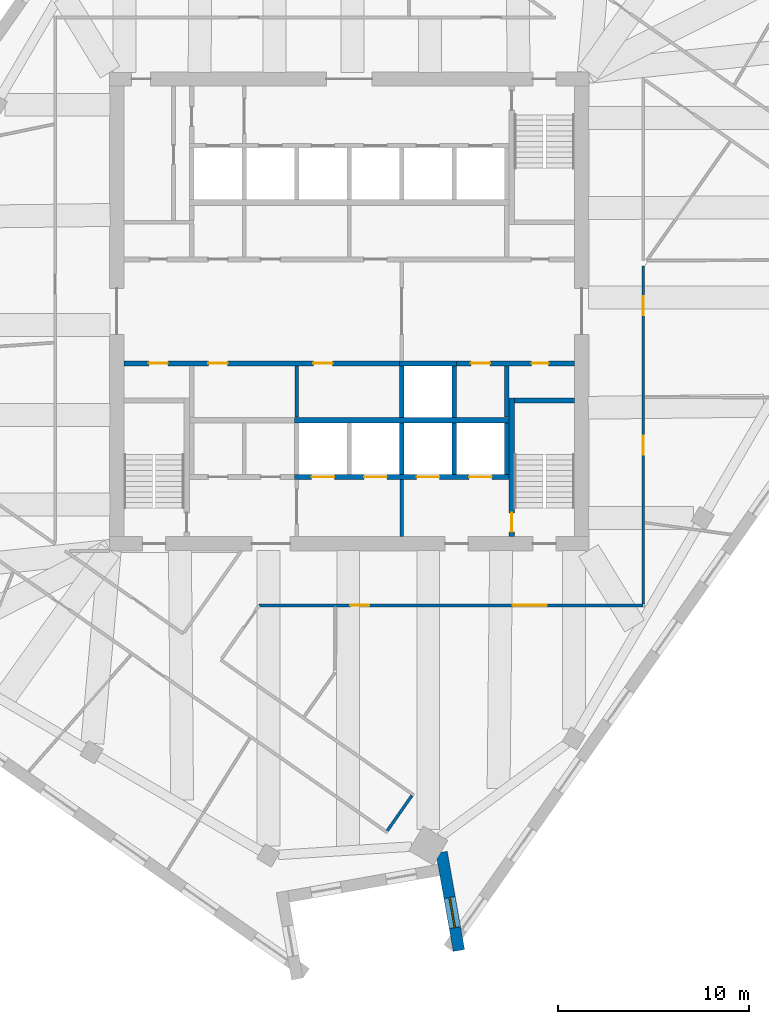
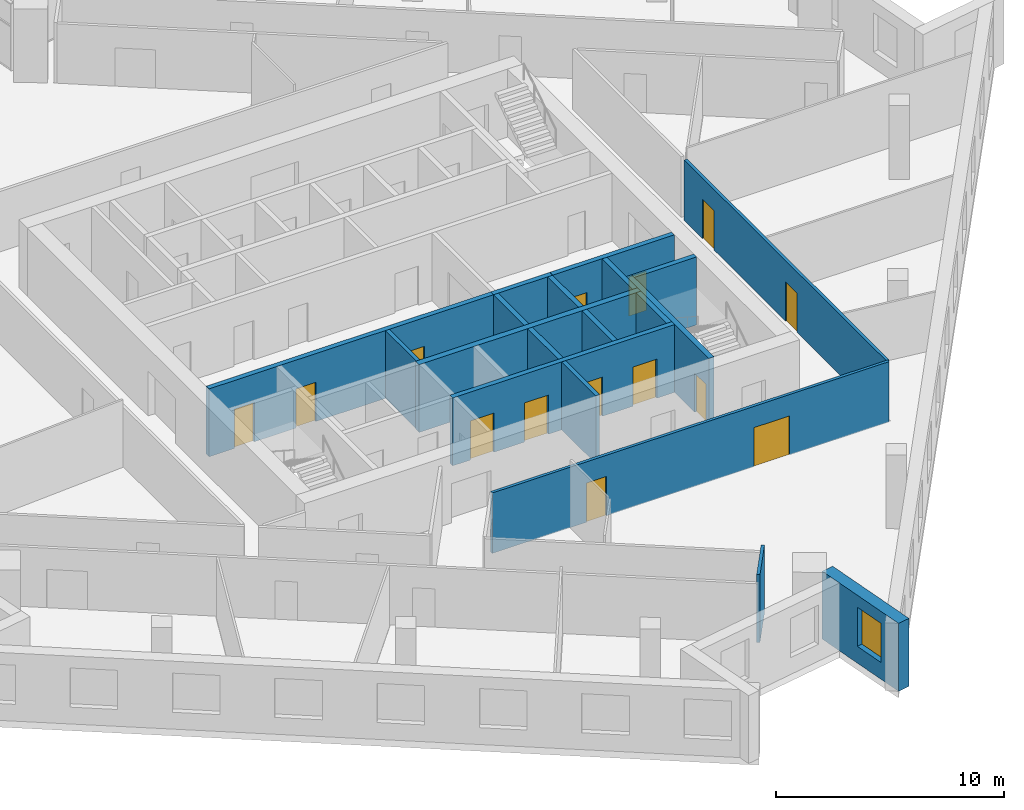
# One storey, part 7 of 13: 19 walls, 14 doors, 1 window, 15 openings.
"""IFC4 building model written with IfcOpenShell, lengths in metres."""

from ifc_helpers import new_model, si_unit, direction, frame, frame_2d, origin, place, context, subcontext, project, spatial, rectangle, extrude, material, layer, layer_set, type_object, element, fill, save


model = new_model("IFC4")

# Units and contexts
model_context = context("Model", 3, precision=1e-05, world=origin(), true_north=direction((0.0, 1.0)))
body_context = subcontext(model_context, "Body", "Model", "MODEL_VIEW")
ifc_project = project(units=[si_unit("LENGTHUNIT", "METRE"), si_unit("AREAUNIT", "SQUARE_METRE"), si_unit("VOLUMEUNIT", "CUBIC_METRE"), si_unit("PLANEANGLEUNIT", "RADIAN"), si_unit("MASSUNIT", "GRAM", prefix="KILO")], contexts=[model_context])

# Site, building, storey
site_placement = place(None, origin())
site = spatial("IfcSite", under=ifc_project, at=site_placement, CompositionType="ELEMENT")
building_placement = place(site_placement, origin())
building = spatial("IfcBuilding", under=site, at=building_placement, Name="Dilmun Exchange Tower", CompositionType="ELEMENT")
storey_placement = place(building_placement, frame((0.0, 0.0, 246.89990234375)))
storey = spatial("IfcBuildingStorey", under=building, at=storey_placement, Name="L58", CompositionType="ELEMENT", Elevation=246.89990234375)

# Walls
ifc_material_1 = material(Name="Concrete C40/50", Category="concrete")
ifc_layer_1 = layer(ifc_material_1, 0.199951171875)
ifc_layer_set_1 = layer_set([ifc_layer_1], Name="Concrete C40/50")
wall_type_1 = type_object("IfcWallType", Name="Core partition wall 200", PredefinedType="PARTITIONING", material=ifc_layer_set_1)
wall_1_placement = place(storey_placement, frame((2.75, -11.794921875, 0.0), z_axis=(0.0, 0.0, 1.0), x_axis=(0.0, 1.0, 0.0)))
element("IfcWall", 1, at=wall_1_placement, inside=storey, type_object=wall_type_1, Name="L58 core partition wall 02", PredefinedType="PARTITIONING", context=body_context, shape_type="SweptSolid", body=[
    extrude(rectangle(XDim=2.989990234375, YDim=0.199951171875, at=frame_2d((1.4951171875, 0.0))), origin(), (0.0, 0.0, 1.0), 3.64013671875),
])
wall_2_placement = place(storey_placement, frame((-2.75, -5.544921875, 0.0), z_axis=(0.0, 0.0, 1.0), x_axis=(0.0, 1.0, 0.0)))
element("IfcWall", 2, at=wall_2_placement, inside=storey, type_object=wall_type_1, Name="L58 core partition wall 08", PredefinedType="PARTITIONING", context=body_context, shape_type="SweptSolid", body=[
    extrude(rectangle(XDim=2.68994140625, YDim=0.199951171875, at=frame_2d((1.344970703125, 0.0))), origin(), (0.0, 0.0, 1.0), 3.64013671875),
])
ifc_layer_2 = layer(ifc_material_1, 0.25)
ifc_layer_set_2 = layer_set([ifc_layer_2], Name="Concrete C40/50")
wall_type_2 = type_object("IfcWallType", Name="Core partition wall 250", PredefinedType="PARTITIONING", material=ifc_layer_set_2)
wall_3_placement = place(storey_placement, frame((8.25, -5.544921875, 0.0), z_axis=(0.0, 0.0, 1.0), x_axis=(0.0, 1.0, 0.0)))
element("IfcWall", 3, at=wall_3_placement, inside=storey, type_object=wall_type_2, Name="L58 core partition wall 09", PredefinedType="PARTITIONING", context=body_context, shape_type="SweptSolid", body=[
    extrude(rectangle(XDim=2.68994140625, YDim=0.25, at=frame_2d((1.344970703125, 0.0))), origin(), (0.0, 0.0, 1.0), 3.64013671875),
])

# Wall, openings, doors
wall_4_placement = place(storey_placement, frame((-11.794921875, -2.72509765625, 0.0), z_axis=(0.0, 0.0, 1.0), x_axis=(1.0, 0.0, 0.0)))
wall_4 = element("IfcWall", 4, at=wall_4_placement, inside=storey, type_object=wall_type_2, Name="L58 core partition wall 10", PredefinedType="PARTITIONING", context=body_context, shape_type="SweptSolid", body=[
    extrude(rectangle(XDim=14.4150390625, YDim=0.25, at=frame_2d((7.20751953125, 0.0))), origin(), (0.0, 0.0, 1.0), 3.64013671875),
])
opening_1_placement = place(wall_4_placement, frame((1.294921875, 0.0, 0.0)))
opening_1 = element("IfcOpeningElement", 5, at=opening_1_placement, cuts=wall_4, Name="Opening CD4", PredefinedType="OPENING", context=body_context, shape_type="SweptSolid", body=[
    extrude(rectangle(XDim=1.0, YDim=2.10009765625, at=frame_2d((0.5, 1.050048828125))), frame((0.0, 0.135009765625, 0.0), z_axis=(0.0, -1.0, 0.0), x_axis=(1.0, 0.0, 0.0)), (0.0, 0.0, 1.0), 0.27001953125),
])
opening_2_placement = place(wall_4_placement, frame((4.419921875, 0.0, 0.0)))
opening_2 = element("IfcOpeningElement", 6, at=opening_2_placement, cuts=wall_4, Name="Opening CD4", PredefinedType="OPENING", context=body_context, shape_type="SweptSolid", body=[
    extrude(rectangle(XDim=1.0, YDim=2.10009765625, at=frame_2d((0.5, 1.050048828125))), frame((0.0, 0.135009765625, 0.0), z_axis=(0.0, -1.0, 0.0), x_axis=(1.0, 0.0, 0.0)), (0.0, 0.0, 1.0), 0.27001953125),
])
opening_3_placement = place(wall_4_placement, frame((9.919921875, 0.0, 0.0)))
opening_3 = element("IfcOpeningElement", 7, at=opening_3_placement, cuts=wall_4, Name="Opening CD4", PredefinedType="OPENING", context=body_context, shape_type="SweptSolid", body=[
    extrude(rectangle(XDim=1.0, YDim=2.10009765625, at=frame_2d((0.5, 1.050048828125))), frame((0.0, 0.135009765625, 0.0), z_axis=(0.0, -1.0, 0.0), x_axis=(1.0, 0.0, 0.0)), (0.0, 0.0, 1.0), 0.27001953125),
])
ifc_material_2 = material(Name="Fire-rated steel door set", Category="steel")
door_type_1 = type_object("IfcDoorType", Name="Core room door 1000x2100", OperationType="SINGLE_SWING_LEFT", PredefinedType="DOOR", material=ifc_material_2)
door_1_placement = place(opening_1_placement, origin())
door_1 = element("IfcDoor", 8, at=door_1_placement, inside=storey, type_object=door_type_1, Name="L58 door Accessible WC", OperationType="SINGLE_SWING_LEFT", OverallHeight=2.10009765625, OverallWidth=1.0, PredefinedType="DOOR", context=body_context, shape_type="SweptSolid", body=[
    extrude(rectangle(XDim=1.0, YDim=2.10009765625, at=frame_2d((0.5, 1.050048828125))), frame((0.0, 0.02490234375, 0.0), z_axis=(0.0, -1.0, 0.0), x_axis=(1.0, 0.0, 0.0)), (0.0, 0.0, 1.0), 0.050048828125),
])
fill(opening_1, door_1)
door_2_placement = place(opening_2_placement, origin())
door_2 = element("IfcDoor", 9, at=door_2_placement, inside=storey, type_object=door_type_1, Name="L58 door Tenant services room", OperationType="SINGLE_SWING_LEFT", OverallHeight=2.10009765625, OverallWidth=1.0, PredefinedType="DOOR", context=body_context, shape_type="SweptSolid", body=[
    extrude(rectangle(XDim=1.0, YDim=2.10009765625, at=frame_2d((0.5, 1.050048828125))), frame((0.0, 0.02490234375, 0.0), z_axis=(0.0, -1.0, 0.0), x_axis=(1.0, 0.0, 0.0)), (0.0, 0.0, 1.0), 0.050048828125),
])
fill(opening_2, door_2)
door_3_placement = place(opening_3_placement, origin())
door_3 = element("IfcDoor", 10, at=door_3_placement, inside=storey, type_object=door_type_1, Name="L58 door Archive store", OperationType="SINGLE_SWING_LEFT", OverallHeight=2.10009765625, OverallWidth=1.0, PredefinedType="DOOR", context=body_context, shape_type="SweptSolid", body=[
    extrude(rectangle(XDim=1.0, YDim=2.10009765625, at=frame_2d((0.5, 1.050048828125))), frame((0.0, 0.02490234375, 0.0), z_axis=(0.0, -1.0, 0.0), x_axis=(1.0, 0.0, 0.0)), (0.0, 0.0, 1.0), 0.050048828125),
])
fill(opening_3, door_3)

wall_5_placement = place(storey_placement, frame((5.6298828125, -2.72509765625, 0.0), z_axis=(0.0, 0.0, 1.0), x_axis=(1.0, 0.0, 0.0)))
wall_5 = element("IfcWall", 11, at=wall_5_placement, inside=storey, type_object=wall_type_2, Name="L58 core partition wall 11", PredefinedType="PARTITIONING", context=body_context, shape_type="SweptSolid", body=[
    extrude(rectangle(XDim=6.1650390625, YDim=0.25, at=frame_2d((3.08251953125, 0.0))), origin(), (0.0, 0.0, 1.0), 3.64013671875),
])
opening_4_placement = place(wall_5_placement, frame((0.7451171875, 0.0, 0.0)))
opening_4 = element("IfcOpeningElement", 12, at=opening_4_placement, cuts=wall_5, Name="Opening CD4", PredefinedType="OPENING", context=body_context, shape_type="SweptSolid", body=[
    extrude(rectangle(XDim=1.0, YDim=2.10009765625, at=frame_2d((0.5, 1.050048828125))), frame((0.0, 0.135009765625, 0.0), z_axis=(0.0, -1.0, 0.0), x_axis=(1.0, 0.0, 0.0)), (0.0, 0.0, 1.0), 0.27001953125),
])
opening_5_placement = place(wall_5_placement, frame((3.919921875, 0.0, 0.0)))
opening_5 = element("IfcOpeningElement", 13, at=opening_5_placement, cuts=wall_5, Name="Opening CD6", PredefinedType="OPENING", context=body_context, shape_type="SweptSolid", body=[
    extrude(rectangle(XDim=0.89990234375, YDim=2.10009765625, at=frame_2d((0.449951171875, 1.050048828125))), frame((0.0, 0.135009765625, 0.0), z_axis=(0.0, -1.0, 0.0), x_axis=(1.0, 0.0, 0.0)), (0.0, 0.0, 1.0), 0.27001953125),
])
door_4_placement = place(opening_4_placement, origin())
door_4 = element("IfcDoor", 14, at=door_4_placement, inside=storey, type_object=door_type_1, Name="L58 door Cleaners' store", OperationType="SINGLE_SWING_LEFT", OverallHeight=2.10009765625, OverallWidth=1.0, PredefinedType="DOOR", context=body_context, shape_type="SweptSolid", body=[
    extrude(rectangle(XDim=1.0, YDim=2.10009765625, at=frame_2d((0.5, 1.050048828125))), frame((0.0, 0.02490234375, 0.0), z_axis=(0.0, -1.0, 0.0), x_axis=(1.0, 0.0, 0.0)), (0.0, 0.0, 1.0), 0.050048828125),
])
fill(opening_4, door_4)
door_type_2 = type_object("IfcDoorType", Name="Core room door 900x2100", OperationType="SINGLE_SWING_LEFT", PredefinedType="DOOR", material=ifc_material_2)
door_5_placement = place(opening_5_placement, origin())
door_5 = element("IfcDoor", 15, at=door_5_placement, inside=storey, type_object=door_type_2, Name="L58 door Comms riser", OperationType="SINGLE_SWING_LEFT", OverallHeight=2.10009765625, OverallWidth=0.89990234375, PredefinedType="DOOR", context=body_context, shape_type="SweptSolid", body=[
    extrude(rectangle(XDim=0.89990234375, YDim=2.10009765625, at=frame_2d((0.449951171875, 1.050048828125))), frame((0.0, 0.02490234375, 0.0), z_axis=(0.0, -1.0, 0.0), x_axis=(1.0, 0.0, 0.0)), (0.0, 0.0, 1.0), 0.050048828125),
])
fill(opening_5, door_5)

ifc_material_3 = material(Name="Corridor wall 150")
ifc_layer_3 = layer(ifc_material_3, 0.14990234375)
ifc_layer_set_3 = layer_set([ifc_layer_3], Name="Corridor wall 150")
wall_type_3 = type_object("IfcWallType", Name="Corridor wall 150", PredefinedType="PARTITIONING", material=ifc_layer_set_3)
wall_6_placement = place(storey_placement, frame((-4.722900390625, -15.39990234375, 0.0), z_axis=(0.0, 0.0, 1.0), x_axis=(1.0, 0.0, 0.0)))
wall_6 = element("IfcWall", 16, at=wall_6_placement, inside=storey, type_object=wall_type_3, Name="Corridor wall", PredefinedType="PARTITIONING", context=body_context, shape_type="SweptSolid", body=[
    extrude(rectangle(XDim=20.122802734375, YDim=0.14990234375, at=frame_2d((10.0615234375, 0.0))), origin(), (0.0, 0.0, 1.0), 3.239990234375),
])
opening_6_placement = place(wall_6_placement, frame((13.28173828125, 0.0, 0.0)))
opening_6 = element("IfcOpeningElement", 17, at=opening_6_placement, cuts=wall_6, Name="Opening TF57-D10", PredefinedType="OPENING", context=body_context, shape_type="SweptSolid", body=[
    extrude(rectangle(XDim=1.800048828125, YDim=2.10009765625, at=frame_2d((0.89990234375, 1.050048828125))), frame((0.0, 0.0849609375, 0.0), z_axis=(0.0, -1.0, 0.0), x_axis=(1.0, 0.0, 0.0)), (0.0, 0.0, 1.0), 0.169921875),
])
opening_7_placement = place(wall_6_placement, frame((4.78173828125, 0.0, 0.0)))
opening_7 = element("IfcOpeningElement", 18, at=opening_7_placement, cuts=wall_6, Name="Opening TF57-D11", PredefinedType="OPENING", context=body_context, shape_type="SweptSolid", body=[
    extrude(rectangle(XDim=1.0, YDim=2.10009765625, at=frame_2d((0.5, 1.050048828125))), frame((0.0, 0.0849609375, 0.0), z_axis=(0.0, -1.0, 0.0), x_axis=(1.0, 0.0, 0.0)), (0.0, 0.0, 1.0), 0.169921875),
])
ifc_material_4 = material(Name="Fire door 1000 x 2100")
door_type_3 = type_object("IfcDoorType", Name="Fire door 1000 x 2100", OperationType="NOTDEFINED", PredefinedType="DOOR", material=ifc_material_4)
door_6_placement = place(opening_7_placement, frame((1.0, 0.0, 0.0), z_axis=(0.0, 0.0, 1.0), x_axis=(-1.0, 0.0, 0.0)))
door_6 = element("IfcDoor", 19, at=door_6_placement, inside=storey, type_object=door_type_3, Name="Door TF57-D11", OperationType="SINGLE_SWING_RIGHT", OverallHeight=2.10009765625, OverallWidth=1.0, PredefinedType="DOOR", context=body_context, shape_type="SweptSolid", body=[
    extrude(rectangle(XDim=1.0, YDim=2.10009765625, at=frame_2d((0.5, 1.050048828125))), frame((0.0, 0.02490234375, 0.0), z_axis=(0.0, -1.0, 0.0), x_axis=(1.0, 0.0, 0.0)), (0.0, 0.0, 1.0), 0.050048828125),
])
fill(opening_7, door_6)
ifc_material_5 = material(Name="Fire door pair 1800 x 2100")
door_type_4 = type_object("IfcDoorType", Name="Fire door pair 1800 x 2100", OperationType="NOTDEFINED", PredefinedType="DOOR", material=ifc_material_5)
door_7_placement = place(opening_6_placement, frame((1.800048828125, 0.0, 0.0), z_axis=(0.0, 0.0, 1.0), x_axis=(-1.0, 0.0, 0.0)))
door_7 = element("IfcDoor", 20, at=door_7_placement, inside=storey, type_object=door_type_4, Name="Door TF57-D10", OperationType="DOUBLE_DOOR_SINGLE_SWING", OverallHeight=2.10009765625, OverallWidth=1.800048828125, PredefinedType="DOOR", context=body_context, shape_type="SweptSolid", body=[
    extrude(rectangle(XDim=1.800048828125, YDim=2.10009765625, at=frame_2d((0.89990234375, 1.050048828125))), frame((0.0, 0.02490234375, 0.0), z_axis=(0.0, -1.0, 0.0), x_axis=(1.0, 0.0, 0.0)), (0.0, 0.0, 1.0), 0.050048828125),
])
fill(opening_6, door_7)

# Wall
wall_7_placement = place(storey_placement, frame((1.993896484375, -27.20751953125, 0.0), z_axis=(0.0, 0.0, 1.0), x_axis=(0.573440493702, 0.819247215548, 0.0)))
element("IfcWall", 21, at=wall_7_placement, inside=storey, type_object=wall_type_3, Name="Corridor wall", PredefinedType="PARTITIONING", context=body_context, shape_type="SweptSolid", body=[
    extrude(rectangle(XDim=2.249755859375, YDim=0.14990234375, at=frame_2d((1.125, 0.0))), origin(), (0.0, 0.0, 1.0), 3.64013671875),
])

# Wall, openings, doors
wall_8_placement = place(storey_placement, frame((15.39990234375, -15.324951171875, 0.0), z_axis=(0.0, 0.0, 1.0), x_axis=(0.0, 1.0, 0.0)))
wall_8 = element("IfcWall", 22, at=wall_8_placement, inside=storey, type_object=wall_type_3, Name="Corridor wall", PredefinedType="PARTITIONING", context=body_context, shape_type="SweptSolid", body=[
    extrude(rectangle(XDim=17.71484375, YDim=0.14990234375, at=frame_2d((8.857421875, 0.0))), origin(), (0.0, 0.0, 1.0), 3.239990234375),
])
opening_8_placement = place(wall_8_placement, frame((7.81201171875, 0.0, 0.0)))
opening_8 = element("IfcOpeningElement", 23, at=opening_8_placement, cuts=wall_8, Name="Opening TF57-D17", PredefinedType="OPENING", context=body_context, shape_type="SweptSolid", body=[
    extrude(rectangle(XDim=1.0, YDim=2.10009765625, at=frame_2d((0.5, 1.050048828125))), frame((0.0, 0.0849609375, 0.0), z_axis=(0.0, -1.0, 0.0), x_axis=(1.0, 0.0, 0.0)), (0.0, 0.0, 1.0), 0.169921875),
])
opening_9_placement = place(wall_8_placement, frame((15.12255859375, 0.0, 0.0)))
opening_9 = element("IfcOpeningElement", 24, at=opening_9_placement, cuts=wall_8, Name="Opening TF57-D18", PredefinedType="OPENING", context=body_context, shape_type="SweptSolid", body=[
    extrude(rectangle(XDim=1.0, YDim=2.10009765625, at=frame_2d((0.5, 1.050048828125))), frame((0.0, 0.0849609375, 0.0), z_axis=(0.0, -1.0, 0.0), x_axis=(1.0, 0.0, 0.0)), (0.0, 0.0, 1.0), 0.169921875),
])
door_8_placement = place(opening_8_placement, frame((1.0, 0.0, 0.0), z_axis=(0.0, 0.0, 1.0), x_axis=(-1.0, 0.0, 0.0)))
door_8 = element("IfcDoor", 25, at=door_8_placement, inside=storey, type_object=door_type_3, Name="Door TF57-D17", OperationType="SINGLE_SWING_RIGHT", OverallHeight=2.10009765625, OverallWidth=1.0, PredefinedType="DOOR", context=body_context, shape_type="SweptSolid", body=[
    extrude(rectangle(XDim=1.0, YDim=2.10009765625, at=frame_2d((0.5, 1.050048828125))), frame((0.0, 0.02490234375, 0.0), z_axis=(0.0, -1.0, 0.0), x_axis=(1.0, 0.0, 0.0)), (0.0, 0.0, 1.0), 0.050048828125),
])
fill(opening_8, door_8)
door_9_placement = place(opening_9_placement, frame((1.0, 0.0, 0.0), z_axis=(0.0, 0.0, 1.0), x_axis=(-1.0, 0.0, 0.0)))
door_9 = element("IfcDoor", 26, at=door_9_placement, inside=storey, type_object=door_type_3, Name="Door TF57-D18", OperationType="SINGLE_SWING_RIGHT", OverallHeight=2.10009765625, OverallWidth=1.0, PredefinedType="DOOR", context=body_context, shape_type="SweptSolid", body=[
    extrude(rectangle(XDim=1.0, YDim=2.10009765625, at=frame_2d((0.5, 1.050048828125))), frame((0.0, 0.02490234375, 0.0), z_axis=(0.0, -1.0, 0.0), x_axis=(1.0, 0.0, 0.0)), (0.0, 0.0, 1.0), 0.050048828125),
])
fill(opening_9, door_9)

# Walls
ifc_layer_4 = layer(ifc_material_1, 0.300048828125)
ifc_layer_set_4 = layer_set([ifc_layer_4], Name="Concrete C40/50")
wall_type_4 = type_object("IfcWallType", Name="Lift shaft shared wall 300", PredefinedType="SOLIDWALL", material=ifc_layer_set_4)
wall_9_placement = place(storey_placement, frame((-2.875, -5.699951171875, 0.0), z_axis=(0.0, 0.0, 1.0), x_axis=(1.0, 0.0, 0.0)))
element("IfcWall", 27, at=wall_9_placement, inside=storey, type_object=wall_type_4, Name="L58 lift shaft rear wall S", PredefinedType="SOLIDWALL", context=body_context, shape_type="SweptSolid", body=[
    extrude(rectangle(XDim=11.25, YDim=0.300048828125, at=frame_2d((5.625, 0.0))), origin(), (0.0, 0.0, 1.0), 3.64013671875),
])
ifc_layer_5 = layer(ifc_material_1, 0.25)
ifc_layer_set_5 = layer_set([ifc_layer_5], Name="Concrete C40/50")
wall_type_5 = type_object("IfcWallType", Name="Lift shaft wall 250", PredefinedType="SOLIDWALL", material=ifc_layer_set_5)
wall_10_placement = place(storey_placement, frame((2.625, -2.72509765625, 0.0), z_axis=(0.0, 0.0, 1.0), x_axis=(1.0, 0.0, 0.0)))
element("IfcWall", 28, at=wall_10_placement, inside=storey, type_object=wall_type_5, Name="L58 lift shaft front wall S1", PredefinedType="SOLIDWALL", context=body_context, shape_type="SweptSolid", body=[
    extrude(rectangle(XDim=3.0, YDim=0.25, at=frame_2d((1.5, 0.0))), origin(), (0.0, 0.0, 1.0), 3.64013671875),
])
for number, where, z_axis, x_axis, name in (
    (29, (2.75, -5.550048828125, 0.0), (0.0, 0.0, 1.0), (0.0, 1.0, 0.0), "L58 lift shaft divider S14"),
    (30, (5.5, -5.550048828125, 0.0), (0.0, 0.0, 1.0), (0.0, 1.0, 0.0), "L58 lift shaft divider S15"),
):
    element("IfcWall", number, at=place(storey_placement, frame(where, z_axis=z_axis, x_axis=x_axis)), inside=storey, type_object=wall_type_5, Name=name, PredefinedType="SOLIDWALL", context=body_context, shape_type="SweptSolid", body=[
        extrude(rectangle(XDim=2.699951171875, YDim=0.25, at=frame_2d((1.35009765625, 0.0))), origin(), (0.0, 0.0, 1.0), 3.64013671875),
    ])

# Wall, openings, doors
wall_11_placement = place(storey_placement, frame((-2.875, -8.675048828125, 0.0), z_axis=(0.0, 0.0, 1.0), x_axis=(1.0, 0.0, 0.0)))
wall_11 = element("IfcWall", 31, at=wall_11_placement, inside=storey, type_object=wall_type_5, Name="L58 lift shaft front wall S2", PredefinedType="SOLIDWALL", context=body_context, shape_type="SweptSolid", body=[
    extrude(rectangle(XDim=11.25, YDim=0.25, at=frame_2d((5.625, 0.0))), origin(), (0.0, 0.0, 1.0), 3.64013671875),
])
opening_10_placement = place(wall_11_placement, frame((0.89990234375, 0.0, 0.0)))
opening_10 = element("IfcOpeningElement", 32, at=opening_10_placement, cuts=wall_11, Name="Opening LD", PredefinedType="OPENING", context=body_context, shape_type="SweptSolid", body=[
    extrude(rectangle(XDim=1.199951171875, YDim=2.10009765625, at=frame_2d((0.60009765625, 1.050048828125))), frame((0.0, 0.135009765625, 0.0), z_axis=(0.0, -1.0, 0.0), x_axis=(1.0, 0.0, 0.0)), (0.0, 0.0, 1.0), 0.27001953125),
])
opening_11_placement = place(wall_11_placement, frame((3.64990234375, 0.0, 0.0)))
opening_11 = element("IfcOpeningElement", 33, at=opening_11_placement, cuts=wall_11, Name="Opening LD", PredefinedType="OPENING", context=body_context, shape_type="SweptSolid", body=[
    extrude(rectangle(XDim=1.199951171875, YDim=2.10009765625, at=frame_2d((0.60009765625, 1.050048828125))), frame((0.0, 0.135009765625, 0.0), z_axis=(0.0, -1.0, 0.0), x_axis=(1.0, 0.0, 0.0)), (0.0, 0.0, 1.0), 0.27001953125),
])
opening_12_placement = place(wall_11_placement, frame((6.39990234375, 0.0, 0.0)))
opening_12 = element("IfcOpeningElement", 34, at=opening_12_placement, cuts=wall_11, Name="Opening LD", PredefinedType="OPENING", context=body_context, shape_type="SweptSolid", body=[
    extrude(rectangle(XDim=1.199951171875, YDim=2.10009765625, at=frame_2d((0.60009765625, 1.050048828125))), frame((0.0, 0.135009765625, 0.0), z_axis=(0.0, -1.0, 0.0), x_axis=(1.0, 0.0, 0.0)), (0.0, 0.0, 1.0), 0.27001953125),
])
opening_13_placement = place(wall_11_placement, frame((9.14990234375, 0.0, 0.0)))
opening_13 = element("IfcOpeningElement", 35, at=opening_13_placement, cuts=wall_11, Name="Opening LD", PredefinedType="OPENING", context=body_context, shape_type="SweptSolid", body=[
    extrude(rectangle(XDim=1.199951171875, YDim=2.10009765625, at=frame_2d((0.60009765625, 1.050048828125))), frame((0.0, 0.135009765625, 0.0), z_axis=(0.0, -1.0, 0.0), x_axis=(1.0, 0.0, 0.0)), (0.0, 0.0, 1.0), 0.27001953125),
])
door_type_5 = type_object("IfcDoorType", Name="Lift landing door 1200x2100", OperationType="DOUBLE_DOOR_SLIDING", PredefinedType="DOOR", material=ifc_material_2)
door_10_placement = place(opening_10_placement, origin())
door_10 = element("IfcDoor", 36, at=door_10_placement, inside=storey, type_object=door_type_5, Name="L58 landing door SV1", OperationType="DOUBLE_DOOR_SLIDING", OverallHeight=2.10009765625, OverallWidth=1.199951171875, PredefinedType="DOOR", context=body_context, shape_type="SweptSolid", body=[
    extrude(rectangle(XDim=1.199951171875, YDim=2.10009765625, at=frame_2d((0.60009765625, 1.050048828125))), frame((0.0, 0.02490234375, 0.0), z_axis=(0.0, -1.0, 0.0), x_axis=(1.0, 0.0, 0.0)), (0.0, 0.0, 1.0), 0.050048828125),
])
fill(opening_10, door_10)
door_11_placement = place(opening_11_placement, origin())
door_11 = element("IfcDoor", 37, at=door_11_placement, inside=storey, type_object=door_type_5, Name="L58 landing door SV2", OperationType="DOUBLE_DOOR_SLIDING", OverallHeight=2.10009765625, OverallWidth=1.199951171875, PredefinedType="DOOR", context=body_context, shape_type="SweptSolid", body=[
    extrude(rectangle(XDim=1.199951171875, YDim=2.10009765625, at=frame_2d((0.60009765625, 1.050048828125))), frame((0.0, 0.02490234375, 0.0), z_axis=(0.0, -1.0, 0.0), x_axis=(1.0, 0.0, 0.0)), (0.0, 0.0, 1.0), 0.050048828125),
])
fill(opening_11, door_11)
door_12_placement = place(opening_12_placement, origin())
door_12 = element("IfcDoor", 38, at=door_12_placement, inside=storey, type_object=door_type_5, Name="L58 landing door FF1", OperationType="DOUBLE_DOOR_SLIDING", OverallHeight=2.10009765625, OverallWidth=1.199951171875, PredefinedType="DOOR", context=body_context, shape_type="SweptSolid", body=[
    extrude(rectangle(XDim=1.199951171875, YDim=2.10009765625, at=frame_2d((0.60009765625, 1.050048828125))), frame((0.0, 0.02490234375, 0.0), z_axis=(0.0, -1.0, 0.0), x_axis=(1.0, 0.0, 0.0)), (0.0, 0.0, 1.0), 0.050048828125),
])
fill(opening_12, door_12)
door_13_placement = place(opening_13_placement, origin())
door_13 = element("IfcDoor", 39, at=door_13_placement, inside=storey, type_object=door_type_5, Name="L58 landing door FF2", OperationType="DOUBLE_DOOR_SLIDING", OverallHeight=2.10009765625, OverallWidth=1.199951171875, PredefinedType="DOOR", context=body_context, shape_type="SweptSolid", body=[
    extrude(rectangle(XDim=1.199951171875, YDim=2.10009765625, at=frame_2d((0.60009765625, 1.050048828125))), frame((0.0, 0.02490234375, 0.0), z_axis=(0.0, -1.0, 0.0), x_axis=(1.0, 0.0, 0.0)), (0.0, 0.0, 1.0), 0.050048828125),
])
fill(opening_13, door_13)

# Walls
for number, where, z_axis, x_axis, name in (
    (40, (2.75, -8.550048828125, 0.0), (0.0, 0.0, 1.0), (0.0, 1.0, 0.0), "L58 lift shaft divider S24"),
    (41, (5.5, -8.550048828125, 0.0), (0.0, 0.0, 1.0), (0.0, 1.0, 0.0), "L58 lift shaft divider S25"),
    (42, (8.25, -8.550048828125, 0.0), (0.0, 0.0, 1.0), (0.0, 1.0, 0.0), "L58 lift shaft divider S26"),
):
    element("IfcWall", number, at=place(storey_placement, frame(where, z_axis=z_axis, x_axis=x_axis)), inside=storey, type_object=wall_type_5, Name=name, PredefinedType="SOLIDWALL", context=body_context, shape_type="SweptSolid", body=[
        extrude(rectangle(XDim=2.699951171875, YDim=0.25, at=frame_2d((1.35009765625, 0.0))), origin(), (0.0, 0.0, 1.0), 3.64013671875),
    ])

# Wall, opening, window
ifc_material_6 = material(Name="Precast concrete C50/60", Category="concrete")
ifc_layer_6 = layer(ifc_material_6, 0.60009765625)
ifc_layer_set_6 = layer_set([ifc_layer_6], Name="Precast concrete C50/60")
wall_type_6 = type_object("IfcWallType", Name="Precast stone-clad wall 600", PredefinedType="STANDARD", material=ifc_layer_set_6)
wall_12_placement = place(storey_placement, frame((4.840087890625, -28.341796875, 0.0), z_axis=(0.0, 0.0, 1.0), x_axis=(0.173659930291, -0.984805680635, 0.0)))
wall_12 = element("IfcWall", 43, at=wall_12_placement, inside=storey, type_object=wall_type_6, Name="Facade wall L58-10", PredefinedType="STANDARD", context=body_context, shape_type="SweptSolid", body=[
    extrude(rectangle(XDim=5.219970703125, YDim=0.60009765625, at=frame_2d((2.60986328125, 0.0))), origin(), (0.0, 0.0, 1.0), 3.64013671875),
])
opening_14_placement = place(wall_12_placement, frame((2.402099609375, 0.0, 0.89990234375)))
opening_14 = element("IfcOpeningElement", 44, at=opening_14_placement, cuts=wall_12, Name="Opening W160-210", PredefinedType="OPENING", context=body_context, shape_type="SweptSolid", body=[
    extrude(rectangle(XDim=1.60009765625, YDim=2.10009765625, at=frame_2d((0.800048828125, 1.050048828125))), frame((0.0, 0.31005859375, 0.0), z_axis=(0.0, -1.0, 0.0), x_axis=(1.0, 0.0, 0.0)), (0.0, 0.0, 1.0), 0.6201171875),
])
ifc_material_7 = material(Name="Clear low-emissivity glass in aluminium frame", Category="aluminium")
window_type = type_object("IfcWindowType", Name="Punched window 1600 x 2100", PartitioningType="DOUBLE_PANEL_VERTICAL", PredefinedType="WINDOW", material=ifc_material_7)
window_placement = place(opening_14_placement, origin())
window = element("IfcWindow", 45, at=window_placement, inside=storey, type_object=window_type, Name="Window 11.1", OverallHeight=2.10009765625, OverallWidth=1.60009765625, PartitioningType="SINGLE_PANEL", PredefinedType="WINDOW", context=body_context, shape_type="SweptSolid", body=[
    extrude(rectangle(XDim=1.60009765625, YDim=2.10009765625, at=frame_2d((0.800048828125, 1.050048828125))), frame((0.0, 0.030029296875, 0.0), z_axis=(0.0, -1.0, 0.0), x_axis=(1.0, 0.0, 0.0)), (0.0, 0.0, 1.0), 0.06005859375),
])
fill(opening_14, window)

# Wall
ifc_layer_7 = layer(ifc_material_1, 0.25)
ifc_layer_set_7 = layer_set([ifc_layer_7], Name="Concrete C40/50")
wall_type_7 = type_object("IfcWallType", Name="Stair end wall 250", PredefinedType="SOLIDWALL", material=ifc_layer_set_7)
wall_13_placement = place(storey_placement, frame((8.64990234375, -4.675048828125, 0.0), z_axis=(0.0, 0.0, 1.0), x_axis=(1.0, 0.0, 0.0)))
element("IfcWall", 46, at=wall_13_placement, inside=storey, type_object=wall_type_7, Name="L58 ST3 far wall", PredefinedType="SOLIDWALL", context=body_context, shape_type="SweptSolid", body=[
    extrude(rectangle(XDim=3.150146484375, YDim=0.25, at=frame_2d((1.5751953125, 0.0))), origin(), (0.0, 0.0, 1.0), 3.64013671875),
])

# Wall, opening, door
ifc_layer_8 = layer(ifc_material_1, 0.27490234375)
ifc_layer_set_8 = layer_set([ifc_layer_8], Name="Concrete C40/50")
wall_type_8 = type_object("IfcWallType", Name="Stair wall 275", PredefinedType="SOLIDWALL", material=ifc_layer_set_8)
wall_14_placement = place(storey_placement, frame((8.512451171875, -4.550048828125, 0.0), z_axis=(0.0, 0.0, 1.0), x_axis=(0.0, -1.0, 0.0)))
wall_14 = element("IfcWall", 47, at=wall_14_placement, inside=storey, type_object=wall_type_8, Name="L58 ST3 wall to lift block", PredefinedType="SOLIDWALL", context=body_context, shape_type="SweptSolid", body=[
    extrude(rectangle(XDim=7.25, YDim=0.27490234375, at=frame_2d((3.625, 0.0))), origin(), (0.0, 0.0, 1.0), 3.64013671875),
])
opening_15_placement = place(wall_14_placement, frame((6.0, 0.0, 0.0)))
opening_15 = element("IfcOpeningElement", 48, at=opening_15_placement, cuts=wall_14, Name="Opening CD4", PredefinedType="OPENING", context=body_context, shape_type="SweptSolid", body=[
    extrude(rectangle(XDim=1.0, YDim=2.10009765625, at=frame_2d((0.5, 1.050048828125))), frame((0.0, 0.1474609375, 0.0), z_axis=(0.0, -1.0, 0.0), x_axis=(1.0, 0.0, 0.0)), (0.0, 0.0, 1.0), 0.294921875),
])
door_14_placement = place(opening_15_placement, origin())
door_14 = element("IfcDoor", 49, at=door_14_placement, inside=storey, type_object=door_type_1, Name="L58 door ST3 from lobby", OperationType="SINGLE_SWING_LEFT", OverallHeight=2.10009765625, OverallWidth=1.0, PredefinedType="DOOR", context=body_context, shape_type="SweptSolid", body=[
    extrude(rectangle(XDim=1.0, YDim=2.10009765625, at=frame_2d((0.5, 1.050048828125))), frame((0.0, 0.02490234375, 0.0), z_axis=(0.0, -1.0, 0.0), x_axis=(1.0, 0.0, 0.0)), (0.0, 0.0, 1.0), 0.050048828125),
])
fill(opening_15, door_14)

save(model, "model.ifc")
